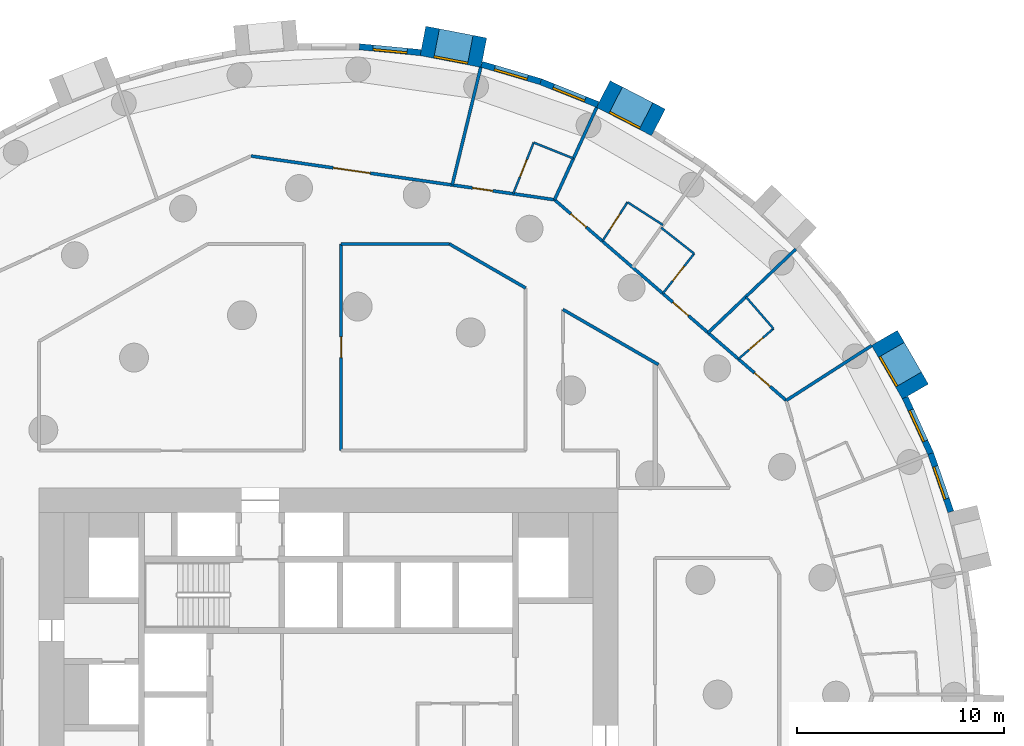
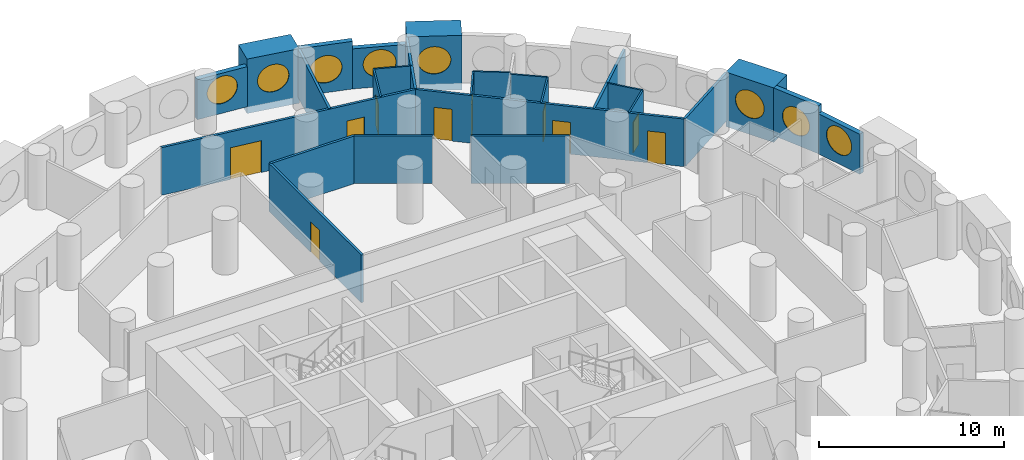
# One storey, part 9 of 12: 26 walls, 10 doors, 8 windows, 18 openings.
"""IFC4 building model written with IfcOpenShell, lengths in metres."""

from ifc_helpers import new_model, si_unit, direction, frame, frame_2d, origin, origin_2d, place, context, subcontext, project, spatial, rectangle, circle, extrude, material, layer, layer_set, type_object, element, fill, save


model = new_model("IFC4")

# Units and contexts
model_context = context("Model", 3, precision=1e-05, world=origin(), true_north=direction((0.0, 1.0)))
body_context = subcontext(model_context, "Body", "Model", "MODEL_VIEW")
ifc_project = project(units=[si_unit("LENGTHUNIT", "METRE"), si_unit("AREAUNIT", "SQUARE_METRE"), si_unit("VOLUMEUNIT", "CUBIC_METRE"), si_unit("PLANEANGLEUNIT", "RADIAN"), si_unit("MASSUNIT", "GRAM", prefix="KILO")], contexts=[model_context])

# Site, building, storey
site_placement = place(None, origin())
site = spatial("IfcSite", under=ifc_project, at=site_placement, CompositionType="ELEMENT")
building_placement = place(site_placement, origin())
building = spatial("IfcBuilding", under=site, at=building_placement, Name="Tracery Tower", CompositionType="ELEMENT")
storey_placement = place(building_placement, frame((0.0, 0.0, 78.60009765625)))
storey = spatial("IfcBuildingStorey", under=building, at=storey_placement, Name="L19", CompositionType="ELEMENT", Elevation=78.60009765625)

# Wall, opening, window
ifc_material_1 = material(Name="Precast concrete C50/60", Category="concrete")
ifc_layer_1 = layer(ifc_material_1, 1.449951171875)
ifc_layer_set_1 = layer_set([ifc_layer_1], Name="Deep-set bay unit 3000 x 3600, slab edge 450")
wall_type_1 = type_object("IfcWallType", Name="Deep-set bay unit 3000 x 3600, slab edge 450", PredefinedType="ELEMENTEDWALL", material=ifc_layer_set_1)
wall_1_placement = place(storey_placement, frame((28.38818359375, 14.657958984375, -0.4501953125), z_axis=(0.0, 0.0, 1.0), x_axis=(-0.499990139034, 0.866031096941, 0.0)))
wall_1 = element("IfcWall", 1, at=wall_1_placement, inside=storey, type_object=wall_type_1, Name="Deep-set bay unit 6 at L19", PredefinedType="ELEMENTEDWALL", context=body_context, shape_type="SweptSolid", body=[
    extrude(rectangle(XDim=3.0, YDim=1.449951171875, at=frame_2d((1.5, 0.0))), origin(), (0.0, 0.0, 1.0), 3.60009765625),
])
opening_1_placement = place(wall_1_placement, frame((1.5, 0.0, 2.0)))
opening_1 = element("IfcOpeningElement", 2, at=opening_1_placement, cuts=wall_1, Name="Opening WN1", PredefinedType="OPENING", context=body_context, shape_type="SweptSolid", body=[
    extrude(circle(Radius=0.9000244140625, at=origin_2d()), frame((0.0, 0.73486328125, 0.0), z_axis=(0.0, -1.0, 0.0), x_axis=(1.0, 0.0, 0.0)), (0.0, 0.0, 1.0), 1.469970703125),
])
ifc_material_2 = material(Name="Aluminium frame with tinted double glazing", Category="aluminium")
window_type = type_object("IfcWindowType", Name="Round window 1800", PartitioningType="SINGLE_PANEL", PredefinedType="WINDOW", material=ifc_material_2)
window_1_placement = place(opening_1_placement, origin())
window_1 = element("IfcWindow", 3, at=window_1_placement, inside=storey, type_object=window_type, Name="Round window 6 at L19", OverallHeight=1.800048828125, OverallWidth=1.800048828125, PartitioningType="SINGLE_PANEL", PredefinedType="WINDOW", context=body_context, shape_type="SweptSolid", body=[
    extrude(circle(Radius=0.9000244140625, at=origin_2d()), frame((0.0, 0.69482421875, 0.0), z_axis=(0.0, -1.0, 0.0), x_axis=(1.0, 0.0, 0.0)), (0.0, 0.0, 1.0), 0.10009765625),
])
fill(opening_1, window_1)

wall_2_placement = place(storey_placement, frame((15.95703125, 27.678955078125, -0.4501953125), z_axis=(0.0, 0.0, 1.0), x_axis=(-0.888858064689, 0.458182650083, 0.0)))
wall_2 = element("IfcWall", 4, at=wall_2_placement, inside=storey, type_object=wall_type_1, Name="Deep-set bay unit 12 at L19", PredefinedType="ELEMENTEDWALL", context=body_context, shape_type="SweptSolid", body=[
    extrude(rectangle(XDim=3.0, YDim=1.449951171875, at=frame_2d((1.5, 0.0))), origin(), (0.0, 0.0, 1.0), 3.60009765625),
])
opening_2_placement = place(wall_2_placement, frame((1.5, 0.0, 2.0)))
opening_2 = element("IfcOpeningElement", 5, at=opening_2_placement, cuts=wall_2, Name="Opening WN1", PredefinedType="OPENING", context=body_context, shape_type="SweptSolid", body=[
    extrude(circle(Radius=0.9000244140625, at=origin_2d()), frame((0.0, 0.73486328125, 0.0), z_axis=(0.0, -1.0, 0.0), x_axis=(1.0, 0.0, 0.0)), (0.0, 0.0, 1.0), 1.469970703125),
])
window_2_placement = place(opening_2_placement, origin())
window_2 = element("IfcWindow", 6, at=window_2_placement, inside=storey, type_object=window_type, Name="Round window 12 at L19", OverallHeight=1.800048828125, OverallWidth=1.800048828125, PartitioningType="SINGLE_PANEL", PredefinedType="WINDOW", context=body_context, shape_type="SweptSolid", body=[
    extrude(circle(Radius=0.9000244140625, at=origin_2d()), frame((0.0, 0.69482421875, 0.0), z_axis=(0.0, -1.0, 0.0), x_axis=(1.0, 0.0, 0.0)), (0.0, 0.0, 1.0), 0.10009765625),
])
fill(opening_2, window_2)

wall_3_placement = place(storey_placement, frame((7.5126953125, 31.05322265625, -0.4501953125), z_axis=(0.0, 0.0, 1.0), x_axis=(-0.981921602273, 0.189288052949, 0.0)))
wall_3 = element("IfcWall", 7, at=wall_3_placement, inside=storey, type_object=wall_type_1, Name="Deep-set bay unit 15 at L19", PredefinedType="ELEMENTEDWALL", context=body_context, shape_type="SweptSolid", body=[
    extrude(rectangle(XDim=3.0, YDim=1.449951171875, at=frame_2d((1.5, 0.0))), origin(), (0.0, 0.0, 1.0), 3.60009765625),
])
opening_3_placement = place(wall_3_placement, frame((1.5, 0.0, 2.0)))
opening_3 = element("IfcOpeningElement", 8, at=opening_3_placement, cuts=wall_3, Name="Opening WN1", PredefinedType="OPENING", context=body_context, shape_type="SweptSolid", body=[
    extrude(circle(Radius=0.9000244140625, at=origin_2d()), frame((0.0, 0.73486328125, 0.0), z_axis=(0.0, -1.0, 0.0), x_axis=(1.0, 0.0, 0.0)), (0.0, 0.0, 1.0), 1.469970703125),
])
window_3_placement = place(opening_3_placement, origin())
window_3 = element("IfcWindow", 9, at=window_3_placement, inside=storey, type_object=window_type, Name="Round window 15 at L19", OverallHeight=1.800048828125, OverallWidth=1.800048828125, PartitioningType="SINGLE_PANEL", PredefinedType="WINDOW", context=body_context, shape_type="SweptSolid", body=[
    extrude(circle(Radius=0.9000244140625, at=origin_2d()), frame((0.0, 0.69482421875, 0.0), z_axis=(0.0, -1.0, 0.0), x_axis=(1.0, 0.0, 0.0)), (0.0, 0.0, 1.0), 0.10009765625),
])
fill(opening_3, window_3)

ifc_material_3 = material(Name="Precast concrete C50/60", Category="concrete")
ifc_layer_2 = layer(ifc_material_3, 0.300048828125)
ifc_layer_set_2 = layer_set([ifc_layer_2], Name="Facade panel 3000 x 2650")
wall_type_2 = type_object("IfcWallType", Name="Facade panel 3000 x 2650", PredefinedType="SOLIDWALL", material=ifc_layer_set_2)
wall_4_placement = place(storey_placement, frame((30.1015625, 8.844970703125, 0.0), z_axis=(0.0, 0.0, 1.0), x_axis=(-0.327096492592, 0.944990944154, 0.0)))
wall_4 = element("IfcWall", 10, at=wall_4_placement, inside=storey, type_object=wall_type_2, Name="Facade panel 4 at L19", PredefinedType="SOLIDWALL", context=body_context, shape_type="SweptSolid", body=[
    extrude(rectangle(XDim=2.9794921875, YDim=0.300048828125, at=frame_2d((1.48974609375, 0.0))), origin(), (0.0, 0.0, 1.0), 2.64990234375),
])
opening_4_placement = place(wall_4_placement, frame((1.48974609375, 0.0, 1.5498046875)))
opening_4 = element("IfcOpeningElement", 11, at=opening_4_placement, cuts=wall_4, Name="Opening WN1", PredefinedType="OPENING", context=body_context, shape_type="SweptSolid", body=[
    extrude(circle(Radius=0.9000244140625, at=origin_2d()), frame((0.0, 0.159912109375, 0.0), z_axis=(0.0, -1.0, 0.0), x_axis=(1.0, 0.0, 0.0)), (0.0, 0.0, 1.0), 0.320068359375),
])
window_4_placement = place(opening_4_placement, origin())
window_4 = element("IfcWindow", 12, at=window_4_placement, inside=storey, type_object=window_type, Name="Round window 4 at L19", OverallHeight=1.800048828125, OverallWidth=1.800048828125, PartitioningType="SINGLE_PANEL", PredefinedType="WINDOW", context=body_context, shape_type="SweptSolid", body=[
    extrude(circle(Radius=0.9000244140625, at=origin_2d()), frame((0.0, 0.1201171875, 0.0), z_axis=(0.0, -1.0, 0.0), x_axis=(1.0, 0.0, 0.0)), (0.0, 0.0, 1.0), 0.10009765625),
])
fill(opening_4, window_4)

wall_5_placement = place(storey_placement, frame((13.02783203125, 28.54150390625, 0.0), z_axis=(0.0, 0.0, 1.0), x_axis=(-0.928374947, 0.371644935098, 0.0)))
wall_5 = element("IfcWall", 13, at=wall_5_placement, inside=storey, type_object=wall_type_2, Name="Facade panel 13 at L19", PredefinedType="SOLIDWALL", context=body_context, shape_type="SweptSolid", body=[
    extrude(rectangle(XDim=2.979736328125, YDim=0.300048828125, at=frame_2d((1.48974609375, 0.0))), origin(), (0.0, 0.0, 1.0), 2.64990234375),
])
opening_5_placement = place(wall_5_placement, frame((1.48974609375, 0.0, 1.5498046875)))
opening_5 = element("IfcOpeningElement", 14, at=opening_5_placement, cuts=wall_5, Name="Opening WN1", PredefinedType="OPENING", context=body_context, shape_type="SweptSolid", body=[
    extrude(circle(Radius=0.9000244140625, at=origin_2d()), frame((0.0, 0.159912109375, 0.0), z_axis=(0.0, -1.0, 0.0), x_axis=(1.0, 0.0, 0.0)), (0.0, 0.0, 1.0), 0.320068359375),
])
window_5_placement = place(opening_5_placement, origin())
window_5 = element("IfcWindow", 15, at=window_5_placement, inside=storey, type_object=window_type, Name="Round window 13 at L19", OverallHeight=1.800048828125, OverallWidth=1.800048828125, PartitioningType="SINGLE_PANEL", PredefinedType="WINDOW", context=body_context, shape_type="SweptSolid", body=[
    extrude(circle(Radius=0.9000244140625, at=origin_2d()), frame((0.0, 0.1201171875, 0.0), z_axis=(0.0, -1.0, 0.0), x_axis=(1.0, 0.0, 0.0)), (0.0, 0.0, 1.0), 0.10009765625),
])
fill(opening_5, window_5)

wall_6_placement = place(storey_placement, frame((4.458984375, 31.0556640625, 0.0), z_axis=(0.0, 0.0, 1.0), x_axis=(-0.995472611385, 0.095048829468, 0.0)))
wall_6 = element("IfcWall", 16, at=wall_6_placement, inside=storey, type_object=wall_type_2, Name="Facade panel 16 at L19", PredefinedType="SOLIDWALL", context=body_context, shape_type="SweptSolid", body=[
    extrude(rectangle(XDim=2.9794921875, YDim=0.300048828125, at=frame_2d((1.48974609375, 0.0))), origin(), (0.0, 0.0, 1.0), 2.64990234375),
])
opening_6_placement = place(wall_6_placement, frame((1.48974609375, 0.0, 1.5498046875)))
opening_6 = element("IfcOpeningElement", 17, at=opening_6_placement, cuts=wall_6, Name="Opening WN1", PredefinedType="OPENING", context=body_context, shape_type="SweptSolid", body=[
    extrude(circle(Radius=0.9000244140625, at=origin_2d()), frame((0.0, 0.159912109375, 0.0), z_axis=(0.0, -1.0, 0.0), x_axis=(1.0, 0.0, 0.0)), (0.0, 0.0, 1.0), 0.320068359375),
])
window_6_placement = place(opening_6_placement, origin())
window_6 = element("IfcWindow", 18, at=window_6_placement, inside=storey, type_object=window_type, Name="Round window 16 at L19", OverallHeight=1.800048828125, OverallWidth=1.800048828125, PartitioningType="SINGLE_PANEL", PredefinedType="WINDOW", context=body_context, shape_type="SweptSolid", body=[
    extrude(circle(Radius=0.9000244140625, at=origin_2d()), frame((0.0, 0.1201171875, 0.0), z_axis=(0.0, -1.0, 0.0), x_axis=(1.0, 0.0, 0.0)), (0.0, 0.0, 1.0), 0.10009765625),
])
fill(opening_6, window_6)

ifc_material_4 = material(Name="Precast concrete C50/60", Category="concrete")
ifc_layer_3 = layer(ifc_material_4, 0.300048828125)
ifc_layer_set_3 = layer_set([ifc_layer_3], Name="Facade panel 3000 x 3150")
wall_type_3 = type_object("IfcWallType", Name="Facade panel 3000 x 3150", PredefinedType="SOLIDWALL", material=ifc_layer_set_3)
wall_7_placement = place(storey_placement, frame((29.126953125, 11.66064453125, 0.0), z_axis=(0.0, 0.0, 1.0), x_axis=(-0.415407317162, 0.909635509888, 0.0)))
wall_7 = element("IfcWall", 19, at=wall_7_placement, inside=storey, type_object=wall_type_3, Name="Facade panel 5 at L19", PredefinedType="SOLIDWALL", context=body_context, shape_type="SweptSolid", body=[
    extrude(rectangle(XDim=2.979736328125, YDim=0.300048828125, at=frame_2d((1.48974609375, 0.0))), origin(), (0.0, 0.0, 1.0), 3.14990234375),
])
opening_7_placement = place(wall_7_placement, frame((1.48974609375, 0.0, 1.5498046875)))
opening_7 = element("IfcOpeningElement", 20, at=opening_7_placement, cuts=wall_7, Name="Opening WN1", PredefinedType="OPENING", context=body_context, shape_type="SweptSolid", body=[
    extrude(circle(Radius=0.9000244140625, at=origin_2d()), frame((0.0, 0.159912109375, 0.0), z_axis=(0.0, -1.0, 0.0), x_axis=(1.0, 0.0, 0.0)), (0.0, 0.0, 1.0), 0.320068359375),
])
window_7_placement = place(opening_7_placement, origin())
window_7 = element("IfcWindow", 21, at=window_7_placement, inside=storey, type_object=window_type, Name="Round window 5 at L19", OverallHeight=1.800048828125, OverallWidth=1.800048828125, PartitioningType="SINGLE_PANEL", PredefinedType="WINDOW", context=body_context, shape_type="SweptSolid", body=[
    extrude(circle(Radius=0.9000244140625, at=origin_2d()), frame((0.0, 0.1201171875, 0.0), z_axis=(0.0, -1.0, 0.0), x_axis=(1.0, 0.0, 0.0)), (0.0, 0.0, 1.0), 0.10009765625),
])
fill(opening_7, window_7)

wall_8_placement = place(storey_placement, frame((10.261474609375, 29.64892578125, 0.0), z_axis=(0.0, 0.0, 1.0), x_axis=(-0.959501085144, 0.281704930036, 0.0)))
wall_8 = element("IfcWall", 22, at=wall_8_placement, inside=storey, type_object=wall_type_3, Name="Facade panel 14 at L19", PredefinedType="SOLIDWALL", context=body_context, shape_type="SweptSolid", body=[
    extrude(rectangle(XDim=2.9794921875, YDim=0.300048828125, at=frame_2d((1.48974609375, 0.0))), origin(), (0.0, 0.0, 1.0), 3.14990234375),
])
opening_8_placement = place(wall_8_placement, frame((1.48974609375, 0.0, 1.5498046875)))
opening_8 = element("IfcOpeningElement", 23, at=opening_8_placement, cuts=wall_8, Name="Opening WN1", PredefinedType="OPENING", context=body_context, shape_type="SweptSolid", body=[
    extrude(circle(Radius=0.9000244140625, at=origin_2d()), frame((0.0, 0.159912109375, 0.0), z_axis=(0.0, -1.0, 0.0), x_axis=(1.0, 0.0, 0.0)), (0.0, 0.0, 1.0), 0.320068359375),
])
window_8_placement = place(opening_8_placement, origin())
window_8 = element("IfcWindow", 24, at=window_8_placement, inside=storey, type_object=window_type, Name="Round window 14 at L19", OverallHeight=1.800048828125, OverallWidth=1.800048828125, PartitioningType="SINGLE_PANEL", PredefinedType="WINDOW", context=body_context, shape_type="SweptSolid", body=[
    extrude(circle(Radius=0.9000244140625, at=origin_2d()), frame((0.0, 0.1201171875, 0.0), z_axis=(0.0, -1.0, 0.0), x_axis=(1.0, 0.0, 0.0)), (0.0, 0.0, 1.0), 0.10009765625),
])
fill(opening_8, window_8)

# Wall, opening, door
ifc_material_5 = material(Name="Plasterboard on steel studs", Category="steel")
ifc_layer_4 = layer(ifc_material_5, 0.10009765625)
ifc_layer_set_4 = layer_set([ifc_layer_4], Name="Partition 100 wet wall")
wall_type_4 = type_object("IfcWallType", Name="Partition 100 wet wall", PredefinedType="PARTITIONING", material=ifc_layer_set_4)
wall_9_placement = place(storey_placement, frame((19.825927734375, 16.23388671875, 0.0), z_axis=(0.0, 0.0, 1.0), x_axis=(0.755703447798, 0.654913963042, 0.0)))
wall_9 = element("IfcWall", 25, at=wall_9_placement, inside=storey, type_object=wall_type_4, Name="Wet wall RA5-068", PredefinedType="PARTITIONING", context=body_context, shape_type="SweptSolid", body=[
    extrude(rectangle(XDim=2.242919921875, YDim=0.10009765625, at=frame_2d((1.12158203125, 0.0))), origin(), (0.0, 0.0, 1.0), 3.14990234375),
])
opening_9_placement = place(wall_9_placement, frame((0.6708984375, 0.0, 0.0)))
opening_9 = element("IfcOpeningElement", 26, at=opening_9_placement, cuts=wall_9, Name="Opening RA5-16", PredefinedType="OPENING", context=body_context, shape_type="SweptSolid", body=[
    extrude(rectangle(XDim=0.89990234375, YDim=2.0400390625, at=frame_2d((0.449951171875, 1.02001953125))), frame((0.0, 0.050048828125, 0.0), z_axis=(0.0, -1.0, 0.0), x_axis=(1.0, 0.0, 0.0)), (0.0, 0.0, 1.0), 0.10009765625),
])
ifc_material_6 = material(Name="Timber door leaf", Category="wood")
door_type_1 = type_object("IfcDoorType", Name="Door en-suite 900", OperationType="NOTDEFINED", PredefinedType="DOOR", material=ifc_material_6)
door_1_placement = place(opening_9_placement, origin())
door_1 = element("IfcDoor", 27, at=door_1_placement, inside=storey, type_object=door_type_1, Name="En-suite door RA5-16", OperationType="SINGLE_SWING_LEFT", OverallHeight=2.0400390625, OverallWidth=0.89990234375, PredefinedType="DOOR", context=body_context, shape_type="SweptSolid", body=[
    extrude(rectangle(XDim=0.89990234375, YDim=2.0400390625, at=frame_2d((0.449951171875, 1.02001953125))), frame((0.0, 0.02490234375, 0.0), z_axis=(0.0, -1.0, 0.0), x_axis=(1.0, 0.0, 0.0)), (0.0, 0.0, 1.0), 0.050048828125),
])
fill(opening_9, door_1)

# Wall
wall_10_placement = place(storey_placement, frame((20.18408203125, 19.2451171875, 0.0), z_axis=(0.0, 0.0, 1.0), x_axis=(0.655017058368, -0.755614090159, 0.0)))
element("IfcWall", 28, at=wall_10_placement, inside=storey, type_object=wall_type_4, Name="Wet wall RA5-069", PredefinedType="PARTITIONING", context=body_context, shape_type="SweptSolid", body=[
    extrude(rectangle(XDim=2.041015625, YDim=0.10009765625, at=frame_2d((1.0205078125, 0.0))), origin(), (0.0, 0.0, 1.0), 3.14990234375),
])

# Wall, opening, door
wall_11_placement = place(storey_placement, frame((16.16796875, 19.404052734375, 0.0), z_axis=(0.0, 0.0, 1.0), x_axis=(0.618142414415, 0.786066126672, 0.0)))
wall_11 = element("IfcWall", 29, at=wall_11_placement, inside=storey, type_object=wall_type_4, Name="Wet wall RA5-071", PredefinedType="PARTITIONING", context=body_context, shape_type="SweptSolid", body=[
    extrude(rectangle(XDim=2.45263671875, YDim=0.10009765625, at=frame_2d((1.226318359375, 0.0))), origin(), (0.0, 0.0, 1.0), 3.14990234375),
])
opening_10_placement = place(wall_11_placement, frame((0.77587890625, 0.0, 0.0)))
opening_10 = element("IfcOpeningElement", 30, at=opening_10_placement, cuts=wall_11, Name="Opening RA5-18", PredefinedType="OPENING", context=body_context, shape_type="SweptSolid", body=[
    extrude(rectangle(XDim=0.89990234375, YDim=2.0400390625, at=frame_2d((0.449951171875, 1.02001953125))), frame((0.0, 0.050048828125, 0.0), z_axis=(0.0, -1.0, 0.0), x_axis=(1.0, 0.0, 0.0)), (0.0, 0.0, 1.0), 0.10009765625),
])
door_2_placement = place(opening_10_placement, origin())
door_2 = element("IfcDoor", 31, at=door_2_placement, inside=storey, type_object=door_type_1, Name="En-suite door RA5-18", OperationType="SINGLE_SWING_LEFT", OverallHeight=2.0400390625, OverallWidth=0.89990234375, PredefinedType="DOOR", context=body_context, shape_type="SweptSolid", body=[
    extrude(rectangle(XDim=0.89990234375, YDim=2.0400390625, at=frame_2d((0.449951171875, 1.02001953125))), frame((0.0, 0.02490234375, 0.0), z_axis=(0.0, -1.0, 0.0), x_axis=(1.0, 0.0, 0.0)), (0.0, 0.0, 1.0), 0.050048828125),
])
fill(opening_10, door_2)

# Walls
wall_12_placement = place(storey_placement, frame((16.0859375, 22.589111328125, 0.0), z_axis=(0.0, 0.0, 1.0), x_axis=(0.785984904201, -0.618245687707, 0.0)))
element("IfcWall", 32, at=wall_12_placement, inside=storey, type_object=wall_type_4, Name="Wet wall RA5-072", PredefinedType="PARTITIONING", context=body_context, shape_type="SweptSolid", body=[
    extrude(rectangle(XDim=2.033203125, YDim=0.10009765625, at=frame_2d((1.0166015625, 0.0))), origin(), (0.0, 0.0, 1.0), 3.14990234375),
])
wall_13_placement = place(storey_placement, frame((14.4599609375, 23.821044921875, 0.0), z_axis=(0.0, 0.0, 1.0), x_axis=(0.841135728185, -0.540824081168, 0.0)))
element("IfcWall", 33, at=wall_13_placement, inside=storey, type_object=wall_type_4, Name="Wet wall RA5-074", PredefinedType="PARTITIONING", context=body_context, shape_type="SweptSolid", body=[
    extrude(rectangle(XDim=2.041259765625, YDim=0.10009765625, at=frame_2d((1.0205078125, 0.0))), origin(), (0.0, 0.0, 1.0), 3.14990234375),
])

# Wall, opening, door
wall_14_placement = place(storey_placement, frame((13.248046875, 21.93505859375, 0.0), z_axis=(0.0, 0.0, 1.0), x_axis=(0.540597960994, 0.841281073464, 0.0)))
wall_14 = element("IfcWall", 34, at=wall_14_placement, inside=storey, type_object=wall_type_4, Name="Wet wall RA5-075", PredefinedType="PARTITIONING", context=body_context, shape_type="SweptSolid", body=[
    extrude(rectangle(XDim=2.24169921875, YDim=0.10009765625, at=frame_2d((1.120849609375, 0.0))), origin(), (0.0, 0.0, 1.0), 3.14990234375),
])
opening_11_placement = place(wall_14_placement, frame((0.6708984375, 0.0, 0.0)))
opening_11 = element("IfcOpeningElement", 35, at=opening_11_placement, cuts=wall_14, Name="Opening RA5-20", PredefinedType="OPENING", context=body_context, shape_type="SweptSolid", body=[
    extrude(rectangle(XDim=0.89990234375, YDim=2.0400390625, at=frame_2d((0.449951171875, 1.02001953125))), frame((0.0, 0.050048828125, 0.0), z_axis=(0.0, -1.0, 0.0), x_axis=(1.0, 0.0, 0.0)), (0.0, 0.0, 1.0), 0.10009765625),
])
door_3_placement = place(opening_11_placement, origin())
door_3 = element("IfcDoor", 36, at=door_3_placement, inside=storey, type_object=door_type_1, Name="En-suite door RA5-20", OperationType="SINGLE_SWING_RIGHT", OverallHeight=2.0400390625, OverallWidth=0.89990234375, PredefinedType="DOOR", context=body_context, shape_type="SweptSolid", body=[
    extrude(rectangle(XDim=0.89990234375, YDim=2.0400390625, at=frame_2d((0.449951171875, 1.02001953125))), frame((0.0, 0.02490234375, 0.0), z_axis=(0.0, -1.0, 0.0), x_axis=(1.0, 0.0, 0.0)), (0.0, 0.0, 1.0), 0.050048828125),
])
fill(opening_11, door_3)

# Wall
wall_15_placement = place(storey_placement, frame((9.9208984375, 26.7041015625, 0.0), z_axis=(0.0, 0.0, 1.0), x_axis=(0.928346586681, -0.37171577179, 0.0)))
element("IfcWall", 37, at=wall_15_placement, inside=storey, type_object=wall_type_4, Name="Wet wall RA5-077", PredefinedType="PARTITIONING", context=body_context, shape_type="SweptSolid", body=[
    extrude(rectangle(XDim=2.071533203125, YDim=0.10009765625, at=frame_2d((1.03564453125, 0.0))), origin(), (0.0, 0.0, 1.0), 3.14990234375),
])

# Wall, opening, door
wall_16_placement = place(storey_placement, frame((8.929931640625, 24.22802734375, 0.0), z_axis=(0.0, 0.0, 1.0), x_axis=(0.371564281805, 0.928407229876, 0.0)))
wall_16 = element("IfcWall", 38, at=wall_16_placement, inside=storey, type_object=wall_type_4, Name="Wet wall RA5-078", PredefinedType="PARTITIONING", context=body_context, shape_type="SweptSolid", body=[
    extrude(rectangle(XDim=2.6669921875, YDim=0.10009765625, at=frame_2d((1.33349609375, 0.0))), origin(), (0.0, 0.0, 1.0), 3.14990234375),
])
opening_12_placement = place(wall_16_placement, frame((0.884033203125, 0.0, 0.0)))
opening_12 = element("IfcOpeningElement", 39, at=opening_12_placement, cuts=wall_16, Name="Opening RA5-22", PredefinedType="OPENING", context=body_context, shape_type="SweptSolid", body=[
    extrude(rectangle(XDim=0.89990234375, YDim=2.0400390625, at=frame_2d((0.449951171875, 1.02001953125))), frame((0.0, 0.050048828125, 0.0), z_axis=(0.0, -1.0, 0.0), x_axis=(1.0, 0.0, 0.0)), (0.0, 0.0, 1.0), 0.10009765625),
])
door_4_placement = place(opening_12_placement, origin())
door_4 = element("IfcDoor", 40, at=door_4_placement, inside=storey, type_object=door_type_1, Name="En-suite door RA5-22", OperationType="SINGLE_SWING_LEFT", OverallHeight=2.0400390625, OverallWidth=0.89990234375, PredefinedType="DOOR", context=body_context, shape_type="SweptSolid", body=[
    extrude(rectangle(XDim=0.89990234375, YDim=2.0400390625, at=frame_2d((0.449951171875, 1.02001953125))), frame((0.0, 0.02490234375, 0.0), z_axis=(0.0, -1.0, 0.0), x_axis=(1.0, 0.0, 0.0)), (0.0, 0.0, 1.0), 0.050048828125),
])
fill(opening_12, door_4)

# Walls
ifc_material_7 = material(Name="Plasterboard on steel studs", Category="steel")
ifc_layer_5 = layer(ifc_material_7, 0.14990234375)
ifc_layer_set_5 = layer_set([ifc_layer_5], Name="Partition 150 acoustic unit wall")
wall_type_5 = type_object("IfcWallType", Name="Partition 150 acoustic unit wall", PredefinedType="PARTITIONING", material=ifc_layer_set_5)
wall_17_placement = place(storey_placement, frame((22.14111328125, 14.22900390625, 0.0), z_axis=(0.0, 0.0, 1.0), x_axis=(0.841265781699, 0.540621757371, 0.0)))
element("IfcWall", 41, at=wall_17_placement, inside=storey, type_object=wall_type_5, Name="Unit wall RA5-067", PredefinedType="PARTITIONING", context=body_context, shape_type="SweptSolid", body=[
    extrude(rectangle(XDim=4.90576171875, YDim=0.14990234375, at=frame_2d((2.452880859375, 0.0))), origin(), (0.0, 0.0, 1.0), 3.14990234375),
])
wall_18_placement = place(storey_placement, frame((18.359619140625, 17.50537109375, 0.0), z_axis=(0.0, 0.0, 1.0), x_axis=(0.723686703731, 0.690128650937, 0.0)))
element("IfcWall", 42, at=wall_18_placement, inside=storey, type_object=wall_type_5, Name="Unit wall RA5-070", PredefinedType="PARTITIONING", context=body_context, shape_type="SweptSolid", body=[
    extrude(rectangle(XDim=5.8564453125, YDim=0.14990234375, at=frame_2d((2.92822265625, 0.0))), origin(), (0.0, 0.0, 1.0), 3.14990234375),
])
wall_19_placement = place(storey_placement, frame((10.933349609375, 23.939697265625, 0.0), z_axis=(0.0, 0.0, 1.0), x_axis=(0.415286978667, 0.909690455787, 0.0)))
element("IfcWall", 43, at=wall_19_placement, inside=storey, type_object=wall_type_5, Name="Unit wall RA5-076", PredefinedType="PARTITIONING", context=body_context, shape_type="SweptSolid", body=[
    extrude(rectangle(XDim=4.906494140625, YDim=0.14990234375, at=frame_2d((2.453125, 0.0))), origin(), (0.0, 0.0, 1.0), 3.14990234375),
])
wall_20_placement = place(storey_placement, frame((5.98095703125, 24.652099609375, 0.0), z_axis=(0.0, 0.0, 1.0), x_axis=(0.235644168604, 0.971839403298, 0.0)))
element("IfcWall", 44, at=wall_20_placement, inside=storey, type_object=wall_type_5, Name="Unit wall RA5-079", PredefinedType="PARTITIONING", context=body_context, shape_type="SweptSolid", body=[
    extrude(rectangle(XDim=5.85693359375, YDim=0.14990234375, at=frame_2d((2.928466796875, 0.0))), origin(), (0.0, 0.0, 1.0), 3.14990234375),
])

# Wall, openings, doors
ifc_material_8 = material(Name="Plasterboard on steel studs", Category="steel")
ifc_layer_6 = layer(ifc_material_8, 0.14990234375)
ifc_layer_set_6 = layer_set([ifc_layer_6], Name="Partition 150 corridor wall")
wall_type_6 = type_object("IfcWallType", Name="Partition 150 corridor wall", PredefinedType="PARTITIONING", material=ifc_layer_set_6)
wall_21_placement = place(storey_placement, frame((10.93212890625, 23.93896484375, 0.0), z_axis=(0.0, 0.0, 1.0), x_axis=(0.755838982892, -0.654757536757, 0.0)))
wall_21 = element("IfcWall", 45, at=wall_21_placement, inside=storey, type_object=wall_type_6, Name="Corridor wall RA5-021", PredefinedType="PARTITIONING", context=body_context, shape_type="SweptSolid", body=[
    extrude(rectangle(XDim=14.829833984375, YDim=0.14990234375, at=frame_2d((7.4150390625, 0.0))), origin(), (0.0, 0.0, 1.0), 3.14990234375),
])
opening_13_placement = place(wall_21_placement, frame((12.7958984375, 0.0, 0.0)))
opening_13 = element("IfcOpeningElement", 46, at=opening_13_placement, cuts=wall_21, Name="Opening RA5-17", PredefinedType="OPENING", context=body_context, shape_type="SweptSolid", body=[
    extrude(rectangle(XDim=1.0, YDim=2.10009765625, at=frame_2d((0.5, 1.050048828125))), frame((0.0, 0.074951171875, 0.0), z_axis=(0.0, -1.0, 0.0), x_axis=(1.0, 0.0, 0.0)), (0.0, 0.0, 1.0), 0.14990234375),
])
opening_14_placement = place(wall_21_placement, frame((7.571533203125, 0.0, 0.0)))
opening_14 = element("IfcOpeningElement", 47, at=opening_14_placement, cuts=wall_21, Name="Opening RA5-19", PredefinedType="OPENING", context=body_context, shape_type="SweptSolid", body=[
    extrude(rectangle(XDim=1.0, YDim=2.10009765625, at=frame_2d((0.5, 1.050048828125))), frame((0.0, 0.074951171875, 0.0), z_axis=(0.0, -1.0, 0.0), x_axis=(1.0, 0.0, 0.0)), (0.0, 0.0, 1.0), 0.14990234375),
])
opening_15_placement = place(wall_21_placement, frame((1.032958984375, 0.0, 0.0)))
opening_15 = element("IfcOpeningElement", 48, at=opening_15_placement, cuts=wall_21, Name="Opening RA5-21", PredefinedType="OPENING", context=body_context, shape_type="SweptSolid", body=[
    extrude(rectangle(XDim=1.0, YDim=2.10009765625, at=frame_2d((0.5, 1.050048828125))), frame((0.0, 0.074951171875, 0.0), z_axis=(0.0, -1.0, 0.0), x_axis=(1.0, 0.0, 0.0)), (0.0, 0.0, 1.0), 0.14990234375),
])
ifc_material_9 = material(Name="Timber door leaf", Category="wood")
door_type_2 = type_object("IfcDoorType", Name="Door unit entrance 1000", OperationType="NOTDEFINED", PredefinedType="DOOR", material=ifc_material_9)
door_5_placement = place(opening_13_placement, origin())
door_5 = element("IfcDoor", 49, at=door_5_placement, inside=storey, type_object=door_type_2, Name="Unit entrance door RA5-17", OperationType="SINGLE_SWING_LEFT", OverallHeight=2.10009765625, OverallWidth=1.0, PredefinedType="DOOR", context=body_context, shape_type="SweptSolid", body=[
    extrude(rectangle(XDim=1.0, YDim=2.10009765625, at=frame_2d((0.5, 1.050048828125))), frame((0.0, 0.02490234375, 0.0), z_axis=(0.0, -1.0, 0.0), x_axis=(1.0, 0.0, 0.0)), (0.0, 0.0, 1.0), 0.050048828125),
])
fill(opening_13, door_5)
door_6_placement = place(opening_14_placement, origin())
door_6 = element("IfcDoor", 50, at=door_6_placement, inside=storey, type_object=door_type_2, Name="Unit entrance door RA5-19", OperationType="SINGLE_SWING_LEFT", OverallHeight=2.10009765625, OverallWidth=1.0, PredefinedType="DOOR", context=body_context, shape_type="SweptSolid", body=[
    extrude(rectangle(XDim=1.0, YDim=2.10009765625, at=frame_2d((0.5, 1.050048828125))), frame((0.0, 0.02490234375, 0.0), z_axis=(0.0, -1.0, 0.0), x_axis=(1.0, 0.0, 0.0)), (0.0, 0.0, 1.0), 0.050048828125),
])
fill(opening_14, door_6)
door_7_placement = place(opening_15_placement, origin())
door_7 = element("IfcDoor", 51, at=door_7_placement, inside=storey, type_object=door_type_2, Name="Unit entrance door RA5-21", OperationType="SINGLE_SWING_LEFT", OverallHeight=2.10009765625, OverallWidth=1.0, PredefinedType="DOOR", context=body_context, shape_type="SweptSolid", body=[
    extrude(rectangle(XDim=1.0, YDim=2.10009765625, at=frame_2d((0.5, 1.050048828125))), frame((0.0, 0.02490234375, 0.0), z_axis=(0.0, -1.0, 0.0), x_axis=(1.0, 0.0, 0.0)), (0.0, 0.0, 1.0), 0.050048828125),
])
fill(opening_15, door_7)

# Walls
wall_22_placement = place(storey_placement, frame((5.842041015625, 21.802001953125, 0.0), z_axis=(0.0, 0.0, 1.0), x_axis=(0.865983505205, -0.500072563448, 0.0)))
element("IfcWall", 52, at=wall_22_placement, inside=storey, type_object=wall_type_6, Name="Corridor wall RA5-029", PredefinedType="PARTITIONING", context=body_context, shape_type="SweptSolid", body=[
    extrude(rectangle(XDim=4.265380859375, YDim=0.14990234375, at=frame_2d((2.1328125, 0.0))), origin(), (0.0, 0.0, 1.0), 3.14990234375),
])
wall_23_placement = place(storey_placement, frame((0.60791015625, 21.802001953125, 0.0), z_axis=(0.0, 0.0, 1.0), x_axis=(1.0, 0.0, 0.0)))
element("IfcWall", 53, at=wall_23_placement, inside=storey, type_object=wall_type_6, Name="Corridor wall RA5-030", PredefinedType="PARTITIONING", context=body_context, shape_type="SweptSolid", body=[
    extrude(rectangle(XDim=5.234130859375, YDim=0.14990234375, at=frame_2d((2.6171875, 0.0))), origin(), (0.0, 0.0, 1.0), 3.14990234375),
])

# Wall, opening, door
wall_24_placement = place(storey_placement, frame((0.60791015625, 11.800048828125, 0.0), z_axis=(0.0, 0.0, 1.0), x_axis=(0.0, 1.0, 0.0)))
wall_24 = element("IfcWall", 54, at=wall_24_placement, inside=storey, type_object=wall_type_6, Name="Corridor wall RA5-031", PredefinedType="PARTITIONING", context=body_context, shape_type="SweptSolid", body=[
    extrude(rectangle(XDim=10.001953125, YDim=0.14990234375, at=frame_2d((5.0009765625, 0.0))), origin(), (0.0, 0.0, 1.0), 3.14990234375),
])
opening_16_placement = place(wall_24_placement, frame((4.5009765625, 0.0, 0.0)))
opening_16 = element("IfcOpeningElement", 55, at=opening_16_placement, cuts=wall_24, Name="Opening RA5-02", PredefinedType="OPENING", context=body_context, shape_type="SweptSolid", body=[
    extrude(rectangle(XDim=1.0, YDim=2.0400390625, at=frame_2d((0.5, 1.02001953125))), frame((0.0, 0.074951171875, 0.0), z_axis=(0.0, -1.0, 0.0), x_axis=(1.0, 0.0, 0.0)), (0.0, 0.0, 1.0), 0.14990234375),
])
ifc_material_10 = material(Name="Timber door leaf", Category="wood")
door_type_3 = type_object("IfcDoorType", Name="Door communal room 1000", OperationType="NOTDEFINED", PredefinedType="DOOR", material=ifc_material_10)
door_8_placement = place(opening_16_placement, origin())
door_8 = element("IfcDoor", 56, at=door_8_placement, inside=storey, type_object=door_type_3, Name="Communal room door RA5-02", OperationType="SINGLE_SWING_RIGHT", OverallHeight=2.0400390625, OverallWidth=1.0, PredefinedType="DOOR", context=body_context, shape_type="SweptSolid", body=[
    extrude(rectangle(XDim=1.0, YDim=2.0400390625, at=frame_2d((0.5, 1.02001953125))), frame((0.0, 0.02490234375, 0.0), z_axis=(0.0, -1.0, 0.0), x_axis=(1.0, 0.0, 0.0)), (0.0, 0.0, 1.0), 0.050048828125),
])
fill(opening_16, door_8)

# Wall
wall_25_placement = place(storey_placement, frame((11.3359375, 18.6298828125, 0.0), z_axis=(0.0, 0.0, 1.0), x_axis=(0.866056911224, -0.499945423543, 0.0)))
element("IfcWall", 57, at=wall_25_placement, inside=storey, type_object=wall_type_6, Name="Corridor wall RA5-032", PredefinedType="PARTITIONING", context=body_context, shape_type="SweptSolid", body=[
    extrude(rectangle(XDim=5.33935546875, YDim=0.14990234375, at=frame_2d((2.669677734375, 0.0))), origin(), (0.0, 0.0, 1.0), 3.14990234375),
])

# Wall, openings, doors
wall_26_placement = place(storey_placement, frame((-3.74560546875, 26.0537109375, 0.0), z_axis=(0.0, 0.0, 1.0), x_axis=(0.989780545379, -0.142598990138, 0.0)))
wall_26 = element("IfcWall", 58, at=wall_26_placement, inside=storey, type_object=wall_type_6, Name="Corridor wall RA5-034", PredefinedType="PARTITIONING", context=body_context, shape_type="SweptSolid", body=[
    extrude(rectangle(XDim=14.830078125, YDim=0.14990234375, at=frame_2d((7.4150390625, 0.0))), origin(), (0.0, 0.0, 1.0), 3.14990234375),
])
opening_17_placement = place(wall_26_placement, frame((10.81689453125, 0.0, 0.0)))
opening_17 = element("IfcOpeningElement", 59, at=opening_17_placement, cuts=wall_26, Name="Opening RA5-23", PredefinedType="OPENING", context=body_context, shape_type="SweptSolid", body=[
    extrude(rectangle(XDim=1.0, YDim=2.10009765625, at=frame_2d((0.5, 1.050048828125))), frame((0.0, 0.074951171875, 0.0), z_axis=(0.0, -1.0, 0.0), x_axis=(1.0, 0.0, 0.0)), (0.0, 0.0, 1.0), 0.14990234375),
])
opening_18_placement = place(wall_26_placement, frame((4.01611328125, 0.0, 0.0)))
opening_18 = element("IfcOpeningElement", 60, at=opening_18_placement, cuts=wall_26, Name="Opening RA5-24", PredefinedType="OPENING", context=body_context, shape_type="SweptSolid", body=[
    extrude(rectangle(XDim=1.800048828125, YDim=2.10009765625, at=frame_2d((0.89990234375, 1.050048828125))), frame((0.0, 0.074951171875, 0.0), z_axis=(0.0, -1.0, 0.0), x_axis=(1.0, 0.0, 0.0)), (0.0, 0.0, 1.0), 0.14990234375),
])
ifc_material_11 = material(Name="Timber door leaf", Category="wood")
door_type_4 = type_object("IfcDoorType", Name="Door double lounge 1800", OperationType="NOTDEFINED", PredefinedType="DOOR", material=ifc_material_11)
door_9_placement = place(opening_18_placement, origin())
door_9 = element("IfcDoor", 61, at=door_9_placement, inside=storey, type_object=door_type_4, Name="Double lounge door RA5-24", OperationType="DOUBLE_DOOR_SINGLE_SWING", OverallHeight=2.10009765625, OverallWidth=1.800048828125, PredefinedType="DOOR", context=body_context, shape_type="SweptSolid", body=[
    extrude(rectangle(XDim=1.800048828125, YDim=2.10009765625, at=frame_2d((0.89990234375, 1.050048828125))), frame((0.0, 0.02490234375, 0.0), z_axis=(0.0, -1.0, 0.0), x_axis=(1.0, 0.0, 0.0)), (0.0, 0.0, 1.0), 0.050048828125),
])
fill(opening_18, door_9)
door_10_placement = place(opening_17_placement, origin())
door_10 = element("IfcDoor", 62, at=door_10_placement, inside=storey, type_object=door_type_2, Name="Unit entrance door RA5-23", OperationType="SINGLE_SWING_RIGHT", OverallHeight=2.10009765625, OverallWidth=1.0, PredefinedType="DOOR", context=body_context, shape_type="SweptSolid", body=[
    extrude(rectangle(XDim=1.0, YDim=2.10009765625, at=frame_2d((0.5, 1.050048828125))), frame((0.0, 0.02490234375, 0.0), z_axis=(0.0, -1.0, 0.0), x_axis=(1.0, 0.0, 0.0)), (0.0, 0.0, 1.0), 0.050048828125),
])
fill(opening_17, door_10)

save(model, "model.ifc")
